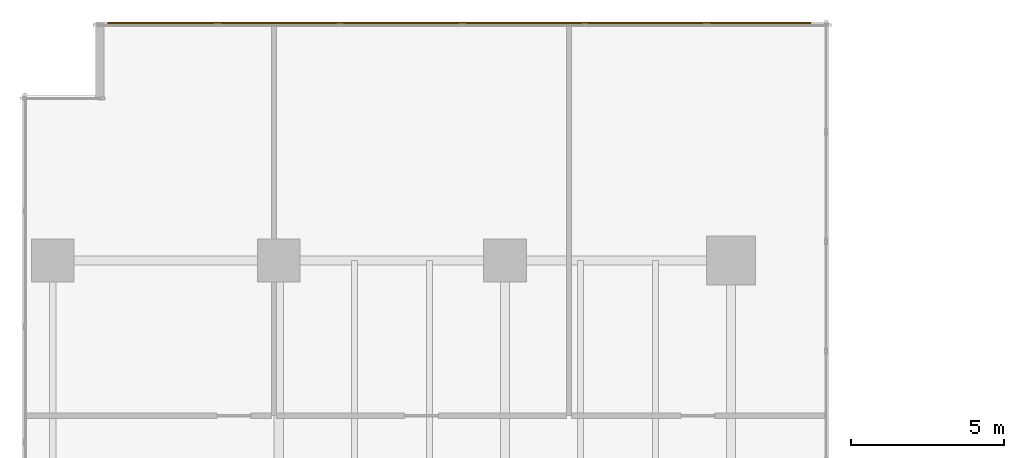
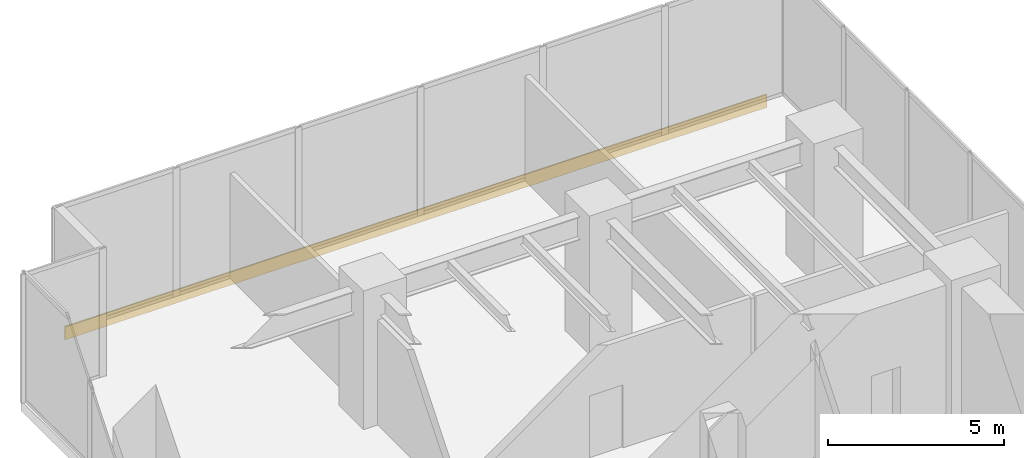
# One storey, part 31 of 32: 1 covering.
"""IFC4 building model written with IfcOpenShell, lengths in metres."""

from ifc_helpers import new_model, si_unit, direction, frame, frame_2d, origin, place, context, subcontext, project, spatial, rectangle, extrude, material, layer, layer_set, type_object, element, save


model = new_model("IFC4")

# Units and contexts
model_context = context("Model", 3, precision=1e-05, world=origin(), true_north=direction((0.0, 1.0)))
body_context = subcontext(model_context, "Body", "Model", "MODEL_VIEW")
ifc_project = project(units=[si_unit("LENGTHUNIT", "METRE"), si_unit("AREAUNIT", "SQUARE_METRE"), si_unit("VOLUMEUNIT", "CUBIC_METRE"), si_unit("PLANEANGLEUNIT", "RADIAN"), si_unit("MASSUNIT", "GRAM", prefix="KILO")], contexts=[model_context])

# Site, building, storey
site_placement = place(None, origin())
site = spatial("IfcSite", under=ifc_project, at=site_placement, CompositionType="ELEMENT")
building_placement = place(site_placement, origin())
building = spatial("IfcBuilding", under=site, at=building_placement, Name="Haelvirn Gate Laboratories", CompositionType="ELEMENT")
storey_placement = place(building_placement, frame((0.0, 0.0, 5.39990234375)))
storey = spatial("IfcBuildingStorey", under=building, at=storey_placement, Name="L02", CompositionType="ELEMENT", Elevation=5.39990234375)

# Covering
ifc_material = material(Name="Anodised bronze honeycomb aluminium spandrel cladding", Category="aluminium")
ifc_layer = layer(ifc_material, 0.044921875, Name="COV-CLAD-BRZ")
ifc_layer_set = layer_set([ifc_layer], Name="Anodised bronze honeycomb aluminium spandrel cladding")
covering_type = type_object("IfcCoveringType", Name="COV-CLAD-BRZ", PredefinedType="CLADDING", material=ifc_layer_set)
covering_placement = place(storey_placement, frame((1.800048828125, 49.3701171875, -0.2998046875), z_axis=(0.0, 0.0, 1.0), x_axis=(1.0, 0.0, 0.0)))
element("IfcCovering", 1, at=covering_placement, inside=storey, type_object=covering_type, Name="L02 Bronze Slab-Edge Spandrel Cladding NW", PredefinedType="CLADDING", context=body_context, shape_type="SweptSolid", body=[
    extrude(rectangle(XDim=23.0, YDim=0.044921875, at=frame_2d((11.5, 0.0))), origin(), (0.0, 0.0, 1.0), 0.449951171875),
])

save(model, "model.ifc")
